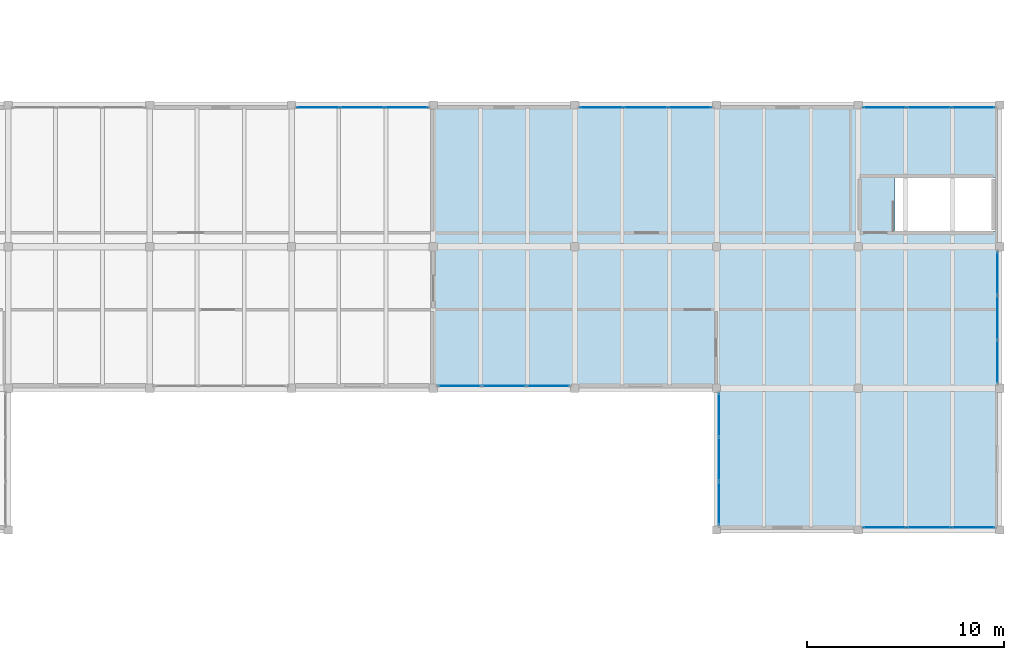
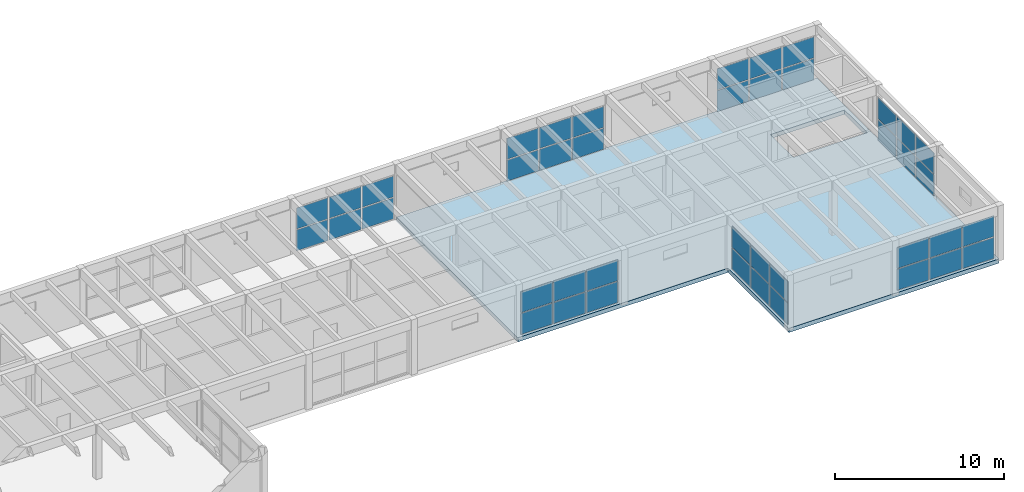
# One storey, part 52 of 68: 42 plates, 1 slab, 7 elements without a shape of their own.
"""IFC4 building model written with IfcOpenShell, lengths in metres."""

import ifcopenshell
import ifcopenshell.guid

model = None  # the IFC model being written
_history = None  # IfcOwnerHistory: only IFC2X3 demands one
_inside = {}  # id of a spatial element -> (the spatial element, [elements in it])
_under = {}  # id of a project, library or spatial element -> (it, [spatial elements below it])
_declared = {}  # id of a project -> (the project, [libraries it declares])
_typed = {}  # id of a type object -> (the type object, [elements of that type])
_made_of = {}  # id of a material, layer set ... -> (it, [elements and type objects made of it])


def new_model(schema):
    """Start an empty IFC model of exactly this schema.

    Asked for "IFC4X3", IfcOpenShell would pick the latest addendum, in which some entities
    have other attributes; the version numbers below select the first issue.
    IFC2X3 requires an IfcOwnerHistory on every rooted entity: one is made here for all.
    """
    global model, _history
    if schema == "IFC4X3":
        model = ifcopenshell.file(schema_version=(4, 3, 0, 0))
    else:
        model = ifcopenshell.file(schema=schema)
    _inside.clear()
    _under.clear()
    _declared.clear()
    _typed.clear()
    _made_of.clear()
    _history = None
    if model.schema == "IFC2X3":
        org = make("IfcOrganization", Name="unknown")
        user = make(
            "IfcPersonAndOrganization",
            ThePerson=make("IfcPerson", FamilyName="unknown"),
            TheOrganization=org,
        )
        app = make(
            "IfcApplication",
            ApplicationDeveloper=org,
            Version="unknown",
            ApplicationFullName="unknown",
            ApplicationIdentifier="unknown",
        )
        _history = make(
            "IfcOwnerHistory",
            OwningUser=user,
            OwningApplication=app,
            ChangeAction="ADDED",
            CreationDate=0,
        )
    return model


def make(cls, **values):
    """One entity of the class cls with the attributes given. An attribute that is None is left unset."""
    return model.create_entity(
        cls, **{name: value for name, value in values.items() if value is not None}
    )


def rooted(cls, **values):
    """An entity with a GlobalId (a new one), such as an element, a storey or a relation."""
    return make(cls, GlobalId=ifcopenshell.guid.new(), OwnerHistory=_history, **values)


def si_unit(unit_type, name, prefix=None):
    """IfcSIUnit, for example si_unit("LENGTHUNIT", "METRE", prefix="MILLI")."""
    return make("IfcSIUnit", UnitType=unit_type, Prefix=prefix, Name=name)


def assignment(units):
    """IfcUnitAssignment: the units of a project."""
    return None if units is None else make("IfcUnitAssignment", Units=units)


def point(xyz):
    """IfcCartesianPoint."""
    return None if xyz is None else make("IfcCartesianPoint", Coordinates=xyz)


def direction(xyz):
    """IfcDirection."""
    return None if xyz is None else make("IfcDirection", DirectionRatios=xyz)


def frame(location, z_axis=None, x_axis=None):
    """IfcAxis2Placement3D, a coordinate frame: its origin and axes. An axis left out is left unset."""
    return make(
        "IfcAxis2Placement3D",
        Location=point(location),
        Axis=direction(z_axis),
        RefDirection=direction(x_axis),
    )


def frame_2d(location, x_axis=None):
    """IfcAxis2Placement2D, a coordinate frame in the plane: its origin and x axis."""
    return make(
        "IfcAxis2Placement2D", Location=point(location), RefDirection=direction(x_axis)
    )


def origin():
    """The frame at (0, 0, 0) with its axes left unset."""
    return frame((0.0, 0.0, 0.0))


def origin_2d():
    """The frame at (0, 0) in the plane with its x axis left unset."""
    return frame_2d((0.0, 0.0))


def place(relative_to, where):
    """IfcLocalPlacement: puts the frame where relative to a parent placement (None: the world)."""
    return make(
        "IfcLocalPlacement", PlacementRelTo=relative_to, RelativePlacement=where
    )


def context(
    kind, dimensions, precision=None, world=None, true_north=None, identifier=None
):
    """IfcGeometricRepresentationContext, for example the 3D "Model" context."""
    return make(
        "IfcGeometricRepresentationContext",
        ContextIdentifier=identifier,
        ContextType=kind,
        CoordinateSpaceDimension=dimensions,
        Precision=precision,
        WorldCoordinateSystem=world,
        TrueNorth=true_north,
    )


def subcontext(parent, identifier, kind, view, scale=None):
    """IfcGeometricRepresentationSubContext, for example "Body" below "Model"."""
    return make(
        "IfcGeometricRepresentationSubContext",
        ContextIdentifier=identifier,
        ContextType=kind,
        ParentContext=parent,
        TargetScale=scale,
        TargetView=view,
    )


def project(units=None, contexts=None):
    """IfcProject with its units and contexts."""
    return rooted(
        "IfcProject",
        Name="project",
        RepresentationContexts=contexts,
        UnitsInContext=assignment(units),
    )


def spatial(cls, under=None, at=None, **own):
    """A site, building, storey or space (cls), placed at a placement, below another one or the project."""
    s = rooted(cls, ObjectPlacement=at, **own)
    if under is not None:
        _under.setdefault(under.id(), (under, []))[1].append(s)
    return s


def polyline(points):
    """IfcPolyline through the points."""
    return make("IfcPolyline", Points=[point(p) for p in points])


def profile(cls, at=None, kind="AREA", **sizes):
    """A parametric profile (cls). Its sizes go by their IFC names, for example OverallWidth=200.0."""
    return make(cls, ProfileType=kind, Position=at, **sizes)


def rectangle(**sizes):
    """IfcRectangleProfileDef."""
    return profile("IfcRectangleProfileDef", **sizes)


def outline(outer, holes=None, kind="AREA"):
    """IfcArbitraryClosedProfileDef: a profile drawn as a closed curve; with holes, ...WithVoids."""
    if holes is None:
        return make("IfcArbitraryClosedProfileDef", ProfileType=kind, OuterCurve=outer)
    return make(
        "IfcArbitraryProfileDefWithVoids",
        ProfileType=kind,
        OuterCurve=outer,
        InnerCurves=holes,
    )


def extrude(swept, where, along, depth):
    """IfcExtrudedAreaSolid: the profile swept, set in the frame where, extruded along a direction by depth."""
    return make(
        "IfcExtrudedAreaSolid",
        SweptArea=swept,
        Position=where,
        ExtrudedDirection=direction(along),
        Depth=depth,
    )


def shape(context_of_items, identifier, shape_type, items):
    """IfcShapeRepresentation: the items that make up one representation, for example the "Body"."""
    return make(
        "IfcShapeRepresentation",
        ContextOfItems=context_of_items,
        RepresentationIdentifier=identifier,
        RepresentationType=shape_type,
        Items=items,
    )


def material(Name=None, Category=None):
    """IfcMaterial."""
    return make("IfcMaterial", Name=Name, Category=Category)


def layer(
    of_material, thickness, ventilated=None, Name=None, Category=None, Priority=None
):
    """IfcMaterialLayer: one layer of a wall or slab, of a material (None: an air gap)."""
    return make(
        "IfcMaterialLayer",
        Material=of_material,
        LayerThickness=thickness,
        IsVentilated=ventilated,
        Name=Name,
        Category=Category,
        Priority=Priority,
    )


def layer_set(layers, Name=None):
    """IfcMaterialLayerSet."""
    return make("IfcMaterialLayerSet", MaterialLayers=layers, LayerSetName=Name)


def made_of(thing, what):
    """Note that an element or type object is made of a material, layer set ...; save() writes the relation."""
    if what is not None:
        _made_of.setdefault(what.id(), (what, []))[1].append(thing)
    return thing


def type_object(cls, material=None, **own):
    """A type object (cls), such as IfcWallType, which elements share."""
    return made_of(rooted(cls, **own), material)


def element(
    cls,
    number,
    at=None,
    inside=None,
    cuts=None,
    type_object=None,
    material=None,
    context=None,
    identifier="Body",
    shape_type=None,
    held_by="IfcProductDefinitionShape",
    body=None,
    shapes=None,
    **own,
):
    """One element of the class cls, such as IfcWall. Its Tag is "e" and its number.

    at: its placement. inside: the storey or other place that contains it. cuts: it is an
    opening in that element (IfcRelVoidsElement). A single representation is given by context,
    identifier, shape_type and body (its items); several are given by shapes. held_by: the class
    of the entity that holds the representations. save() writes the other relations.
    """
    e = rooted(cls, Tag="e%d" % number, ObjectPlacement=at, **own)
    if body is not None:
        shapes = [shape(context, identifier, shape_type, body)]
    if shapes is not None:
        e.Representation = make(held_by, Representations=shapes)
    if inside is not None:
        _inside.setdefault(inside.id(), (inside, []))[1].append(e)
    if cuts is not None:
        rooted(
            "IfcRelVoidsElement", RelatingBuildingElement=cuts, RelatedOpeningElement=e
        )
    if type_object is not None:
        _typed.setdefault(type_object.id(), (type_object, []))[1].append(e)
    return made_of(e, material)


def aggregate(whole, parts):
    """IfcRelAggregates: a whole, such as a stair, and the parts it consists of."""
    return rooted("IfcRelAggregates", RelatingObject=whole, RelatedObjects=parts)


def save(model, path):
    """Write the relations noted so far, then the file.

    IfcRelAggregates (storeys below a building ...), IfcRelContainedInSpatialStructure (elements
    in a storey), IfcRelDefinesByType, IfcRelAssociatesMaterial and IfcRelDeclares: one each for
    every whole, place, type object, material and project.
    """
    for whole, parts in _under.values():
        aggregate(whole, parts)
    for where, things in _inside.values():
        rooted(
            "IfcRelContainedInSpatialStructure",
            RelatedElements=things,
            RelatingStructure=where,
        )
    for kind, things in _typed.values():
        rooted("IfcRelDefinesByType", RelatedObjects=things, RelatingType=kind)
    for what, things in _made_of.values():
        rooted("IfcRelAssociatesMaterial", RelatedObjects=things, RelatingMaterial=what)
    for by, libraries in _declared.values():
        rooted("IfcRelDeclares", RelatingContext=by, RelatedDefinitions=libraries)
    model.write(path)


model = new_model("IFC4")

# Units and contexts
model_context = context("Model", 3, precision=1e-05, world=origin(), true_north=direction((0.0, 1.0)))
body_context = subcontext(model_context, "Body", "Model", "MODEL_VIEW")
ifc_project = project(units=[si_unit("LENGTHUNIT", "METRE"), si_unit("AREAUNIT", "SQUARE_METRE"), si_unit("VOLUMEUNIT", "CUBIC_METRE"), si_unit("PLANEANGLEUNIT", "RADIAN"), si_unit("MASSUNIT", "GRAM", prefix="KILO")], contexts=[model_context])

# Site, building, storey
site_placement = place(None, origin())
site = spatial("IfcSite", under=ifc_project, at=site_placement, CompositionType="ELEMENT")
building_placement = place(site_placement, origin())
building = spatial("IfcBuilding", under=site, at=building_placement, Name="Bramvelor Terrace Health Centre", CompositionType="ELEMENT")
storey_placement = place(building_placement, frame((0.0, 0.0, 9.300048828125)))
storey = spatial("IfcBuildingStorey", under=building, at=storey_placement, Name="L03", CompositionType="ELEMENT", Elevation=9.300048828125)

# Curtain wall, plates
ifc_material_1 = material(Name="Anodized aluminium and double low-E glass", Category="aluminium")
curtain_wall_type = type_object("IfcCurtainWallType", Name="CW-SYS-27", PredefinedType="NOTDEFINED", material=ifc_material_1)
curtain_wall_1_placement = place(storey_placement, origin())
curtain_wall_1 = element("IfcCurtainWall", 1, at=curtain_wall_1_placement, inside=storey, type_object=curtain_wall_type, Name="L03 Unitized Curtain Wall 164", PredefinedType="NOTDEFINED")
ifc_material_2 = material(Name="Double low-E laminated glass", Category="glass")
ifc_layer_1 = layer(ifc_material_2, 0.028076171875)
ifc_layer_set_1 = layer_set([ifc_layer_1], Name="Double low-E laminated glass")
plate_type = type_object("IfcPlateType", Name="CW-PNL-GLZ28", PredefinedType="CURTAIN_PANEL", material=ifc_layer_set_1)
plate_1_placement = place(storey_placement, frame((130.955322265625, 64.669921875, 0.06494140625), z_axis=(0.0, 0.0, 1.0), x_axis=(1.0, 0.0, 0.0)))
plate_1 = element("IfcPlate", 2, at=plate_1_placement, type_object=plate_type, Name="CW-27 panel 1.1", PredefinedType="CURTAIN_PANEL", context=body_context, shape_type="SweptSolid", body=[
    extrude(rectangle(XDim=2.15087890625, YDim=0.028076171875, at=origin_2d()), origin(), (0.0, 0.0, 1.0), 1.517578125),
])
plate_2_placement = place(storey_placement, frame((130.955322265625, 64.669921875, 1.6474609375), z_axis=(0.0, 0.0, 1.0), x_axis=(1.0, 0.0, 0.0)))
plate_2 = element("IfcPlate", 3, at=plate_2_placement, type_object=plate_type, Name="CW-27 panel 1.2", PredefinedType="CURTAIN_PANEL", context=body_context, shape_type="SweptSolid", body=[
    extrude(rectangle(XDim=2.15087890625, YDim=0.028076171875, at=origin_2d()), origin(), (0.0, 0.0, 1.0), 1.517578125),
])
plate_3_placement = place(storey_placement, frame((133.199951171875, 64.669921875, 0.06494140625), z_axis=(0.0, 0.0, 1.0), x_axis=(1.0, 0.0, 0.0)))
plate_3 = element("IfcPlate", 4, at=plate_3_placement, type_object=plate_type, Name="CW-27 panel 2.1", PredefinedType="CURTAIN_PANEL", context=body_context, shape_type="SweptSolid", body=[
    extrude(rectangle(XDim=2.188232421875, YDim=0.028076171875, at=origin_2d()), origin(), (0.0, 0.0, 1.0), 1.517578125),
])
plate_4_placement = place(storey_placement, frame((133.199951171875, 64.669921875, 1.6474609375), z_axis=(0.0, 0.0, 1.0), x_axis=(1.0, 0.0, 0.0)))
plate_4 = element("IfcPlate", 5, at=plate_4_placement, type_object=plate_type, Name="CW-27 panel 2.2", PredefinedType="CURTAIN_PANEL", context=body_context, shape_type="SweptSolid", body=[
    extrude(rectangle(XDim=2.188232421875, YDim=0.028076171875, at=origin_2d()), origin(), (0.0, 0.0, 1.0), 1.517578125),
])
plate_5_placement = place(storey_placement, frame((135.444580078125, 64.669921875, 0.06494140625), z_axis=(0.0, 0.0, 1.0), x_axis=(1.0, 0.0, 0.0)))
plate_5 = element("IfcPlate", 6, at=plate_5_placement, type_object=plate_type, Name="CW-27 panel 3.1", PredefinedType="CURTAIN_PANEL", context=body_context, shape_type="SweptSolid", body=[
    extrude(rectangle(XDim=2.15087890625, YDim=0.028076171875, at=origin_2d()), origin(), (0.0, 0.0, 1.0), 1.517578125),
])
plate_6_placement = place(storey_placement, frame((135.444580078125, 64.669921875, 1.6474609375), z_axis=(0.0, 0.0, 1.0), x_axis=(1.0, 0.0, 0.0)))
plate_6 = element("IfcPlate", 7, at=plate_6_placement, type_object=plate_type, Name="CW-27 panel 3.2", PredefinedType="CURTAIN_PANEL", context=body_context, shape_type="SweptSolid", body=[
    extrude(rectangle(XDim=2.15087890625, YDim=0.028076171875, at=origin_2d()), origin(), (0.0, 0.0, 1.0), 1.517578125),
])
aggregate(curtain_wall_1, [plate_1, plate_2, plate_3, plate_4, plate_5, plate_6])

curtain_wall_2_placement = place(storey_placement, origin())
curtain_wall_2 = element("IfcCurtainWall", 8, at=curtain_wall_2_placement, inside=storey, type_object=curtain_wall_type, Name="L03 Unitized Curtain Wall 165", PredefinedType="NOTDEFINED")
plate_7_placement = place(storey_placement, frame((145.35546875, 64.669921875, 0.06494140625), z_axis=(0.0, 0.0, 1.0), x_axis=(1.0, 0.0, 0.0)))
plate_7 = element("IfcPlate", 9, at=plate_7_placement, type_object=plate_type, Name="CW-27 panel 1.1", PredefinedType="CURTAIN_PANEL", context=body_context, shape_type="SweptSolid", body=[
    extrude(rectangle(XDim=2.15087890625, YDim=0.028076171875, at=origin_2d()), origin(), (0.0, 0.0, 1.0), 1.517578125),
])
plate_8_placement = place(storey_placement, frame((145.35546875, 64.669921875, 1.6474609375), z_axis=(0.0, 0.0, 1.0), x_axis=(1.0, 0.0, 0.0)))
plate_8 = element("IfcPlate", 10, at=plate_8_placement, type_object=plate_type, Name="CW-27 panel 1.2", PredefinedType="CURTAIN_PANEL", context=body_context, shape_type="SweptSolid", body=[
    extrude(rectangle(XDim=2.15087890625, YDim=0.028076171875, at=origin_2d()), origin(), (0.0, 0.0, 1.0), 1.517578125),
])
plate_9_placement = place(storey_placement, frame((147.60009765625, 64.669921875, 0.06494140625), z_axis=(0.0, 0.0, 1.0), x_axis=(1.0, 0.0, 0.0)))
plate_9 = element("IfcPlate", 11, at=plate_9_placement, type_object=plate_type, Name="CW-27 panel 2.1", PredefinedType="CURTAIN_PANEL", context=body_context, shape_type="SweptSolid", body=[
    extrude(rectangle(XDim=2.188232421875, YDim=0.028076171875, at=origin_2d()), origin(), (0.0, 0.0, 1.0), 1.517578125),
])
plate_10_placement = place(storey_placement, frame((147.60009765625, 64.669921875, 1.6474609375), z_axis=(0.0, 0.0, 1.0), x_axis=(1.0, 0.0, 0.0)))
plate_10 = element("IfcPlate", 12, at=plate_10_placement, type_object=plate_type, Name="CW-27 panel 2.2", PredefinedType="CURTAIN_PANEL", context=body_context, shape_type="SweptSolid", body=[
    extrude(rectangle(XDim=2.188232421875, YDim=0.028076171875, at=origin_2d()), origin(), (0.0, 0.0, 1.0), 1.517578125),
])
plate_11_placement = place(storey_placement, frame((149.844482421875, 64.669921875, 0.06494140625), z_axis=(0.0, 0.0, 1.0), x_axis=(1.0, 0.0, 0.0)))
plate_11 = element("IfcPlate", 13, at=plate_11_placement, type_object=plate_type, Name="CW-27 panel 3.1", PredefinedType="CURTAIN_PANEL", context=body_context, shape_type="SweptSolid", body=[
    extrude(rectangle(XDim=2.15087890625, YDim=0.028076171875, at=origin_2d()), origin(), (0.0, 0.0, 1.0), 1.517578125),
])
plate_12_placement = place(storey_placement, frame((149.844482421875, 64.669921875, 1.6474609375), z_axis=(0.0, 0.0, 1.0), x_axis=(1.0, 0.0, 0.0)))
plate_12 = element("IfcPlate", 14, at=plate_12_placement, type_object=plate_type, Name="CW-27 panel 3.2", PredefinedType="CURTAIN_PANEL", context=body_context, shape_type="SweptSolid", body=[
    extrude(rectangle(XDim=2.15087890625, YDim=0.028076171875, at=origin_2d()), origin(), (0.0, 0.0, 1.0), 1.517578125),
])
aggregate(curtain_wall_2, [plate_7, plate_8, plate_9, plate_10, plate_11, plate_12])

curtain_wall_3_placement = place(storey_placement, origin())
curtain_wall_3 = element("IfcCurtainWall", 15, at=curtain_wall_3_placement, inside=storey, type_object=curtain_wall_type, Name="L03 Unitized Curtain Wall 166", PredefinedType="NOTDEFINED")
plate_13_placement = place(storey_placement, frame((159.75537109375, 64.669921875, 0.06494140625), z_axis=(0.0, 0.0, 1.0), x_axis=(1.0, 0.0, 0.0)))
plate_13 = element("IfcPlate", 16, at=plate_13_placement, type_object=plate_type, Name="CW-27 panel 1.1", PredefinedType="CURTAIN_PANEL", context=body_context, shape_type="SweptSolid", body=[
    extrude(rectangle(XDim=2.15087890625, YDim=0.028076171875, at=origin_2d()), origin(), (0.0, 0.0, 1.0), 1.517578125),
])
plate_14_placement = place(storey_placement, frame((159.75537109375, 64.669921875, 1.6474609375), z_axis=(0.0, 0.0, 1.0), x_axis=(1.0, 0.0, 0.0)))
plate_14 = element("IfcPlate", 17, at=plate_14_placement, type_object=plate_type, Name="CW-27 panel 1.2", PredefinedType="CURTAIN_PANEL", context=body_context, shape_type="SweptSolid", body=[
    extrude(rectangle(XDim=2.15087890625, YDim=0.028076171875, at=origin_2d()), origin(), (0.0, 0.0, 1.0), 1.517578125),
])
plate_15_placement = place(storey_placement, frame((162.0, 64.669921875, 0.06494140625), z_axis=(0.0, 0.0, 1.0), x_axis=(1.0, 0.0, 0.0)))
plate_15 = element("IfcPlate", 18, at=plate_15_placement, type_object=plate_type, Name="CW-27 panel 2.1", PredefinedType="CURTAIN_PANEL", context=body_context, shape_type="SweptSolid", body=[
    extrude(rectangle(XDim=2.188232421875, YDim=0.028076171875, at=origin_2d()), origin(), (0.0, 0.0, 1.0), 1.517578125),
])
plate_16_placement = place(storey_placement, frame((162.0, 64.669921875, 1.6474609375), z_axis=(0.0, 0.0, 1.0), x_axis=(1.0, 0.0, 0.0)))
plate_16 = element("IfcPlate", 19, at=plate_16_placement, type_object=plate_type, Name="CW-27 panel 2.2", PredefinedType="CURTAIN_PANEL", context=body_context, shape_type="SweptSolid", body=[
    extrude(rectangle(XDim=2.188232421875, YDim=0.028076171875, at=origin_2d()), origin(), (0.0, 0.0, 1.0), 1.517578125),
])
plate_17_placement = place(storey_placement, frame((164.24462890625, 64.669921875, 0.06494140625), z_axis=(0.0, 0.0, 1.0), x_axis=(1.0, 0.0, 0.0)))
plate_17 = element("IfcPlate", 20, at=plate_17_placement, type_object=plate_type, Name="CW-27 panel 3.1", PredefinedType="CURTAIN_PANEL", context=body_context, shape_type="SweptSolid", body=[
    extrude(rectangle(XDim=2.15087890625, YDim=0.028076171875, at=origin_2d()), origin(), (0.0, 0.0, 1.0), 1.517578125),
])
plate_18_placement = place(storey_placement, frame((164.24462890625, 64.669921875, 1.6474609375), z_axis=(0.0, 0.0, 1.0), x_axis=(1.0, 0.0, 0.0)))
plate_18 = element("IfcPlate", 21, at=plate_18_placement, type_object=plate_type, Name="CW-27 panel 3.2", PredefinedType="CURTAIN_PANEL", context=body_context, shape_type="SweptSolid", body=[
    extrude(rectangle(XDim=2.15087890625, YDim=0.028076171875, at=origin_2d()), origin(), (0.0, 0.0, 1.0), 1.517578125),
])
aggregate(curtain_wall_3, [plate_13, plate_14, plate_15, plate_16, plate_17, plate_18])

curtain_wall_4_placement = place(storey_placement, origin())
curtain_wall_4 = element("IfcCurtainWall", 22, at=curtain_wall_4_placement, inside=storey, type_object=curtain_wall_type, Name="L03 Unitized Curtain Wall 167", PredefinedType="NOTDEFINED")
plate_19_placement = place(storey_placement, frame((165.469970703125, 56.24462890625, 0.06494140625), z_axis=(0.0, 0.0, 1.0), x_axis=(0.0, -1.0, 0.0)))
plate_19 = element("IfcPlate", 23, at=plate_19_placement, type_object=plate_type, Name="CW-27 panel 1.1", PredefinedType="CURTAIN_PANEL", context=body_context, shape_type="SweptSolid", body=[
    extrude(rectangle(XDim=2.15087890625, YDim=0.028076171875, at=origin_2d()), origin(), (0.0, 0.0, 1.0), 1.517578125),
])
plate_20_placement = place(storey_placement, frame((165.469970703125, 56.24462890625, 1.6474609375), z_axis=(0.0, 0.0, 1.0), x_axis=(0.0, -1.0, 0.0)))
plate_20 = element("IfcPlate", 24, at=plate_20_placement, type_object=plate_type, Name="CW-27 panel 1.2", PredefinedType="CURTAIN_PANEL", context=body_context, shape_type="SweptSolid", body=[
    extrude(rectangle(XDim=2.15087890625, YDim=0.028076171875, at=origin_2d()), origin(), (0.0, 0.0, 1.0), 1.517578125),
])
plate_21_placement = place(storey_placement, frame((165.469970703125, 54.0, 0.06494140625), z_axis=(0.0, 0.0, 1.0), x_axis=(0.0, -1.0, 0.0)))
plate_21 = element("IfcPlate", 25, at=plate_21_placement, type_object=plate_type, Name="CW-27 panel 2.1", PredefinedType="CURTAIN_PANEL", context=body_context, shape_type="SweptSolid", body=[
    extrude(rectangle(XDim=2.188232421875, YDim=0.028076171875, at=origin_2d()), origin(), (0.0, 0.0, 1.0), 1.517578125),
])
plate_22_placement = place(storey_placement, frame((165.469970703125, 54.0, 1.6474609375), z_axis=(0.0, 0.0, 1.0), x_axis=(0.0, -1.0, 0.0)))
plate_22 = element("IfcPlate", 26, at=plate_22_placement, type_object=plate_type, Name="CW-27 panel 2.2", PredefinedType="CURTAIN_PANEL", context=body_context, shape_type="SweptSolid", body=[
    extrude(rectangle(XDim=2.188232421875, YDim=0.028076171875, at=origin_2d()), origin(), (0.0, 0.0, 1.0), 1.517578125),
])
plate_23_placement = place(storey_placement, frame((165.469970703125, 51.75537109375, 0.06494140625), z_axis=(0.0, 0.0, 1.0), x_axis=(0.0, -1.0, 0.0)))
plate_23 = element("IfcPlate", 27, at=plate_23_placement, type_object=plate_type, Name="CW-27 panel 3.1", PredefinedType="CURTAIN_PANEL", context=body_context, shape_type="SweptSolid", body=[
    extrude(rectangle(XDim=2.15087890625, YDim=0.028076171875, at=origin_2d()), origin(), (0.0, 0.0, 1.0), 1.517578125),
])
plate_24_placement = place(storey_placement, frame((165.469970703125, 51.75537109375, 1.6474609375), z_axis=(0.0, 0.0, 1.0), x_axis=(0.0, -1.0, 0.0)))
plate_24 = element("IfcPlate", 28, at=plate_24_placement, type_object=plate_type, Name="CW-27 panel 3.2", PredefinedType="CURTAIN_PANEL", context=body_context, shape_type="SweptSolid", body=[
    extrude(rectangle(XDim=2.15087890625, YDim=0.028076171875, at=origin_2d()), origin(), (0.0, 0.0, 1.0), 1.517578125),
])
aggregate(curtain_wall_4, [plate_19, plate_20, plate_21, plate_22, plate_23, plate_24])

curtain_wall_5_placement = place(storey_placement, origin())
curtain_wall_5 = element("IfcCurtainWall", 29, at=curtain_wall_5_placement, inside=storey, type_object=curtain_wall_type, Name="L03 Unitized Curtain Wall 168", PredefinedType="NOTDEFINED")
plate_25_placement = place(storey_placement, frame((164.24462890625, 43.330078125, 0.06494140625), z_axis=(0.0, 0.0, 1.0), x_axis=(-1.0, 0.0, 0.0)))
plate_25 = element("IfcPlate", 30, at=plate_25_placement, type_object=plate_type, Name="CW-27 panel 1.1", PredefinedType="CURTAIN_PANEL", context=body_context, shape_type="SweptSolid", body=[
    extrude(rectangle(XDim=2.15087890625, YDim=0.028076171875, at=origin_2d()), origin(), (0.0, 0.0, 1.0), 1.517578125),
])
plate_26_placement = place(storey_placement, frame((164.24462890625, 43.330078125, 1.6474609375), z_axis=(0.0, 0.0, 1.0), x_axis=(-1.0, 0.0, 0.0)))
plate_26 = element("IfcPlate", 31, at=plate_26_placement, type_object=plate_type, Name="CW-27 panel 1.2", PredefinedType="CURTAIN_PANEL", context=body_context, shape_type="SweptSolid", body=[
    extrude(rectangle(XDim=2.15087890625, YDim=0.028076171875, at=origin_2d()), origin(), (0.0, 0.0, 1.0), 1.517578125),
])
plate_27_placement = place(storey_placement, frame((162.0, 43.330078125, 0.06494140625), z_axis=(0.0, 0.0, 1.0), x_axis=(-1.0, 0.0, 0.0)))
plate_27 = element("IfcPlate", 32, at=plate_27_placement, type_object=plate_type, Name="CW-27 panel 2.1", PredefinedType="CURTAIN_PANEL", context=body_context, shape_type="SweptSolid", body=[
    extrude(rectangle(XDim=2.188232421875, YDim=0.028076171875, at=origin_2d()), origin(), (0.0, 0.0, 1.0), 1.517578125),
])
plate_28_placement = place(storey_placement, frame((162.0, 43.330078125, 1.6474609375), z_axis=(0.0, 0.0, 1.0), x_axis=(-1.0, 0.0, 0.0)))
plate_28 = element("IfcPlate", 33, at=plate_28_placement, type_object=plate_type, Name="CW-27 panel 2.2", PredefinedType="CURTAIN_PANEL", context=body_context, shape_type="SweptSolid", body=[
    extrude(rectangle(XDim=2.188232421875, YDim=0.028076171875, at=origin_2d()), origin(), (0.0, 0.0, 1.0), 1.517578125),
])
plate_29_placement = place(storey_placement, frame((159.75537109375, 43.330078125, 0.06494140625), z_axis=(0.0, 0.0, 1.0), x_axis=(-1.0, 0.0, 0.0)))
plate_29 = element("IfcPlate", 34, at=plate_29_placement, type_object=plate_type, Name="CW-27 panel 3.1", PredefinedType="CURTAIN_PANEL", context=body_context, shape_type="SweptSolid", body=[
    extrude(rectangle(XDim=2.15087890625, YDim=0.028076171875, at=origin_2d()), origin(), (0.0, 0.0, 1.0), 1.517578125),
])
plate_30_placement = place(storey_placement, frame((159.75537109375, 43.330078125, 1.6474609375), z_axis=(0.0, 0.0, 1.0), x_axis=(-1.0, 0.0, 0.0)))
plate_30 = element("IfcPlate", 35, at=plate_30_placement, type_object=plate_type, Name="CW-27 panel 3.2", PredefinedType="CURTAIN_PANEL", context=body_context, shape_type="SweptSolid", body=[
    extrude(rectangle(XDim=2.15087890625, YDim=0.028076171875, at=origin_2d()), origin(), (0.0, 0.0, 1.0), 1.517578125),
])
aggregate(curtain_wall_5, [plate_25, plate_26, plate_27, plate_28, plate_29, plate_30])

curtain_wall_6_placement = place(storey_placement, origin())
curtain_wall_6 = element("IfcCurtainWall", 36, at=curtain_wall_6_placement, inside=storey, type_object=curtain_wall_type, Name="L03 Unitized Curtain Wall 169", PredefinedType="NOTDEFINED")
plate_31_placement = place(storey_placement, frame((151.330078125, 44.555419921875, 0.06494140625), z_axis=(0.0, 0.0, 1.0), x_axis=(0.0, 1.0, 0.0)))
plate_31 = element("IfcPlate", 37, at=plate_31_placement, type_object=plate_type, Name="CW-27 panel 1.1", PredefinedType="CURTAIN_PANEL", context=body_context, shape_type="SweptSolid", body=[
    extrude(rectangle(XDim=2.15087890625, YDim=0.028076171875, at=origin_2d()), origin(), (0.0, 0.0, 1.0), 1.517578125),
])
plate_32_placement = place(storey_placement, frame((151.330078125, 44.555419921875, 1.6474609375), z_axis=(0.0, 0.0, 1.0), x_axis=(0.0, 1.0, 0.0)))
plate_32 = element("IfcPlate", 38, at=plate_32_placement, type_object=plate_type, Name="CW-27 panel 1.2", PredefinedType="CURTAIN_PANEL", context=body_context, shape_type="SweptSolid", body=[
    extrude(rectangle(XDim=2.15087890625, YDim=0.028076171875, at=origin_2d()), origin(), (0.0, 0.0, 1.0), 1.517578125),
])
plate_33_placement = place(storey_placement, frame((151.330078125, 46.800048828125, 0.06494140625), z_axis=(0.0, 0.0, 1.0), x_axis=(0.0, 1.0, 0.0)))
plate_33 = element("IfcPlate", 39, at=plate_33_placement, type_object=plate_type, Name="CW-27 panel 2.1", PredefinedType="CURTAIN_PANEL", context=body_context, shape_type="SweptSolid", body=[
    extrude(rectangle(XDim=2.188232421875, YDim=0.028076171875, at=origin_2d()), origin(), (0.0, 0.0, 1.0), 1.517578125),
])
plate_34_placement = place(storey_placement, frame((151.330078125, 46.800048828125, 1.6474609375), z_axis=(0.0, 0.0, 1.0), x_axis=(0.0, 1.0, 0.0)))
plate_34 = element("IfcPlate", 40, at=plate_34_placement, type_object=plate_type, Name="CW-27 panel 2.2", PredefinedType="CURTAIN_PANEL", context=body_context, shape_type="SweptSolid", body=[
    extrude(rectangle(XDim=2.188232421875, YDim=0.028076171875, at=origin_2d()), origin(), (0.0, 0.0, 1.0), 1.517578125),
])
plate_35_placement = place(storey_placement, frame((151.330078125, 49.044677734375, 0.06494140625), z_axis=(0.0, 0.0, 1.0), x_axis=(0.0, 1.0, 0.0)))
plate_35 = element("IfcPlate", 41, at=plate_35_placement, type_object=plate_type, Name="CW-27 panel 3.1", PredefinedType="CURTAIN_PANEL", context=body_context, shape_type="SweptSolid", body=[
    extrude(rectangle(XDim=2.15087890625, YDim=0.028076171875, at=origin_2d()), origin(), (0.0, 0.0, 1.0), 1.517578125),
])
plate_36_placement = place(storey_placement, frame((151.330078125, 49.044677734375, 1.6474609375), z_axis=(0.0, 0.0, 1.0), x_axis=(0.0, 1.0, 0.0)))
plate_36 = element("IfcPlate", 42, at=plate_36_placement, type_object=plate_type, Name="CW-27 panel 3.2", PredefinedType="CURTAIN_PANEL", context=body_context, shape_type="SweptSolid", body=[
    extrude(rectangle(XDim=2.15087890625, YDim=0.028076171875, at=origin_2d()), origin(), (0.0, 0.0, 1.0), 1.517578125),
])
aggregate(curtain_wall_6, [plate_31, plate_32, plate_33, plate_34, plate_35, plate_36])

curtain_wall_7_placement = place(storey_placement, origin())
curtain_wall_7 = element("IfcCurtainWall", 43, at=curtain_wall_7_placement, inside=storey, type_object=curtain_wall_type, Name="L03 Unitized Curtain Wall 170", PredefinedType="NOTDEFINED")
plate_37_placement = place(storey_placement, frame((142.64453125, 50.530029296875, 0.06494140625), z_axis=(0.0, 0.0, 1.0), x_axis=(-1.0, 0.0, 0.0)))
plate_37 = element("IfcPlate", 44, at=plate_37_placement, type_object=plate_type, Name="CW-27 panel 1.1", PredefinedType="CURTAIN_PANEL", context=body_context, shape_type="SweptSolid", body=[
    extrude(rectangle(XDim=2.15087890625, YDim=0.028076171875, at=origin_2d()), origin(), (0.0, 0.0, 1.0), 1.517578125),
])
plate_38_placement = place(storey_placement, frame((142.64453125, 50.530029296875, 1.6474609375), z_axis=(0.0, 0.0, 1.0), x_axis=(-1.0, 0.0, 0.0)))
plate_38 = element("IfcPlate", 45, at=plate_38_placement, type_object=plate_type, Name="CW-27 panel 1.2", PredefinedType="CURTAIN_PANEL", context=body_context, shape_type="SweptSolid", body=[
    extrude(rectangle(XDim=2.15087890625, YDim=0.028076171875, at=origin_2d()), origin(), (0.0, 0.0, 1.0), 1.517578125),
])
plate_39_placement = place(storey_placement, frame((140.39990234375, 50.530029296875, 0.06494140625), z_axis=(0.0, 0.0, 1.0), x_axis=(-1.0, 0.0, 0.0)))
plate_39 = element("IfcPlate", 46, at=plate_39_placement, type_object=plate_type, Name="CW-27 panel 2.1", PredefinedType="CURTAIN_PANEL", context=body_context, shape_type="SweptSolid", body=[
    extrude(rectangle(XDim=2.188232421875, YDim=0.028076171875, at=origin_2d()), origin(), (0.0, 0.0, 1.0), 1.517578125),
])
plate_40_placement = place(storey_placement, frame((140.39990234375, 50.530029296875, 1.6474609375), z_axis=(0.0, 0.0, 1.0), x_axis=(-1.0, 0.0, 0.0)))
plate_40 = element("IfcPlate", 47, at=plate_40_placement, type_object=plate_type, Name="CW-27 panel 2.2", PredefinedType="CURTAIN_PANEL", context=body_context, shape_type="SweptSolid", body=[
    extrude(rectangle(XDim=2.188232421875, YDim=0.028076171875, at=origin_2d()), origin(), (0.0, 0.0, 1.0), 1.517578125),
])
plate_41_placement = place(storey_placement, frame((138.155517578125, 50.530029296875, 0.06494140625), z_axis=(0.0, 0.0, 1.0), x_axis=(-1.0, 0.0, 0.0)))
plate_41 = element("IfcPlate", 48, at=plate_41_placement, type_object=plate_type, Name="CW-27 panel 3.1", PredefinedType="CURTAIN_PANEL", context=body_context, shape_type="SweptSolid", body=[
    extrude(rectangle(XDim=2.15087890625, YDim=0.028076171875, at=origin_2d()), origin(), (0.0, 0.0, 1.0), 1.517578125),
])
plate_42_placement = place(storey_placement, frame((138.155517578125, 50.530029296875, 1.6474609375), z_axis=(0.0, 0.0, 1.0), x_axis=(-1.0, 0.0, 0.0)))
plate_42 = element("IfcPlate", 49, at=plate_42_placement, type_object=plate_type, Name="CW-27 panel 3.2", PredefinedType="CURTAIN_PANEL", context=body_context, shape_type="SweptSolid", body=[
    extrude(rectangle(XDim=2.15087890625, YDim=0.028076171875, at=origin_2d()), origin(), (0.0, 0.0, 1.0), 1.517578125),
])
aggregate(curtain_wall_7, [plate_37, plate_38, plate_39, plate_40, plate_41, plate_42])

# Slab
ifc_material_3 = material(Name="Concrete C40/50", Category="concrete")
ifc_layer_2 = layer(ifc_material_3, 0.300048828125)
ifc_layer_set_2 = layer_set([ifc_layer_2], Name="Concrete C40/50")
slab_type = type_object("IfcSlabType", Name="SLB-FLR-RC300", PredefinedType="FLOOR", material=ifc_layer_set_2)
slab_placement = place(storey_placement, frame((0.0, 0.0, -0.300048828125)))
element("IfcSlab", 50, at=slab_placement, inside=storey, type_object=slab_type, Name="L03 V2_SMK2 Floor Slab", PredefinedType="FLOOR", context=body_context, shape_type="SweptSolid", body=[
    extrude(outline(polyline([(136.800048828125, 64.800048828125), (165.60009765625, 64.800048828125), (165.60009765625, 50.39990234375), (165.60009765625, 43.199951171875), (151.199951171875, 43.199951171875), (151.199951171875, 50.39990234375), (136.800048828125, 50.39990234375), (136.800048828125, 64.800048828125)]), holes=[polyline([(165.35009765625, 61.10009765625), (160.280029296875, 61.10009765625), (160.280029296875, 58.39990234375), (165.35009765625, 58.39990234375), (165.35009765625, 61.10009765625)])]), origin(), (0.0, 0.0, 1.0), 0.300048828125),
])

save(model, "model.ifc")
